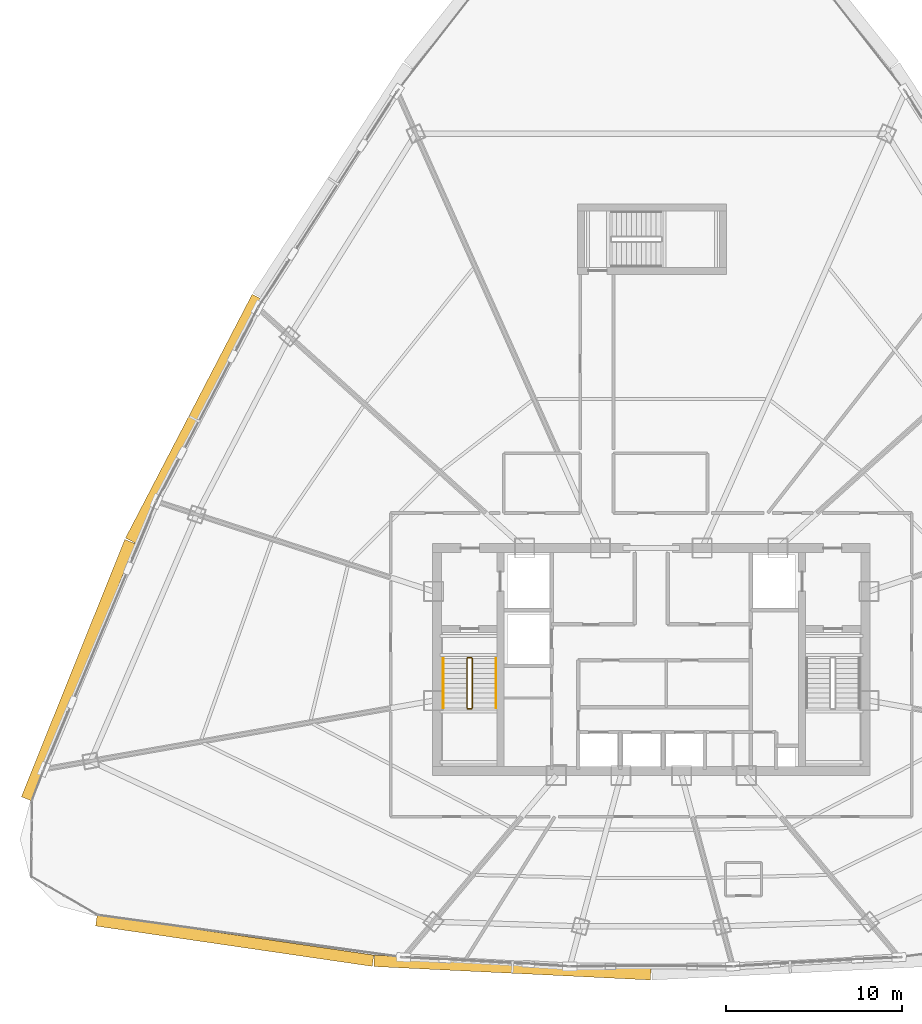
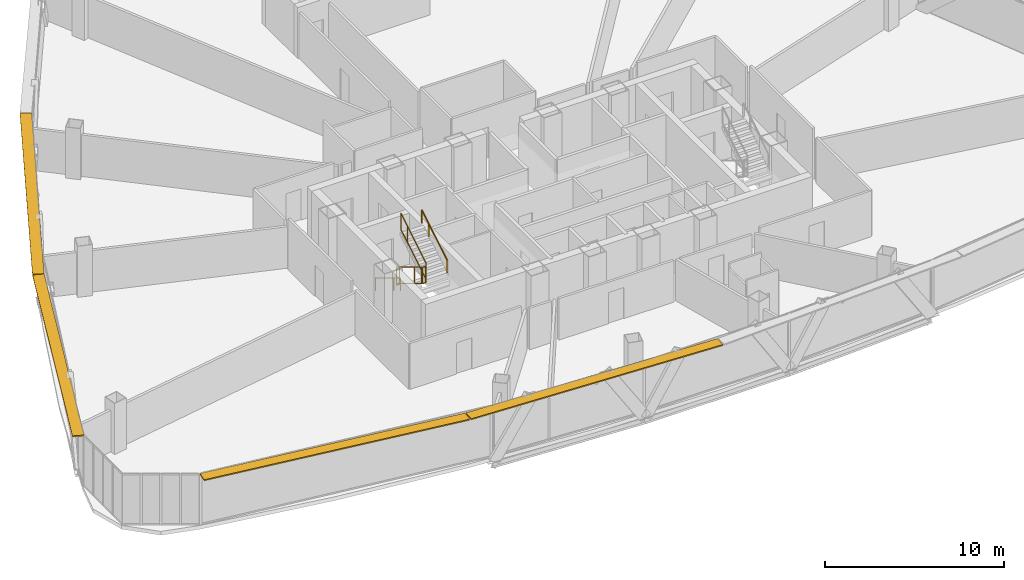
# One storey, part 34 of 37: 6 railings, 4 shading devices.
"""IFC4 building model written with IfcOpenShell, lengths in metres."""

from ifc_helpers import new_model, si_unit, direction, frame, origin, origin_2d, place, context, subcontext, project, spatial, rectangle, extrude, source, transform, mapped, material, layer, layer_set, type_object, element, save


model = new_model("IFC4")

# Units and contexts
model_context = context("Model", 3, precision=1e-05, world=origin(), true_north=direction((0.0, 1.0)))
body_context = subcontext(model_context, "Body", "Model", "MODEL_VIEW")
ifc_project = project(units=[si_unit("LENGTHUNIT", "METRE"), si_unit("AREAUNIT", "SQUARE_METRE"), si_unit("VOLUMEUNIT", "CUBIC_METRE"), si_unit("PLANEANGLEUNIT", "RADIAN"), si_unit("MASSUNIT", "GRAM", prefix="KILO"), si_unit("THERMODYNAMICTEMPERATUREUNIT", "KELVIN"), si_unit("POWERUNIT", "WATT")], contexts=[model_context])

# Site, building, storey
site_placement = place(None, origin())
site = spatial("IfcSite", under=ifc_project, at=site_placement, CompositionType="ELEMENT")
building_placement = place(site_placement, origin())
building = spatial("IfcBuilding", under=site, at=building_placement, Name="Yunzhuo Pagoda Commons", CompositionType="ELEMENT")
storey_placement = place(building_placement, frame((0.0, 0.0, 240.800048828125)))
storey = spatial("IfcBuildingStorey", under=building, at=storey_placement, Name="L60", CompositionType="ELEMENT", Elevation=240.800048828125)

# Railings
ifc_material = material(Name="Anodized aluminium 6063-T6", Category="aluminium")
railing_type_1 = type_object("IfcRailingType", Name="GR-ST1 Stair Well Guardrail 1150", PredefinedType="GUARDRAIL", material=ifc_material)
railing_1_placement = place(storey_placement, frame((37.5, 33.89990234375, 0.16943359375)))
element("IfcRailing", 1, at=railing_1_placement, inside=storey, type_object=railing_type_1, Name="L60 ST1 stair guard 1", PredefinedType="GUARDRAIL", context=body_context, shape_type="SweptSolid", body=[
    extrude(rectangle(XDim=0.048095703125, YDim=0.048095703125, at=origin_2d()), frame((0.0, 0.0, 1.1259765625), z_axis=(0.0, -0.855373106579, 0.518012401918), x_axis=(1.0, 0.0, 0.0)), (0.0, 0.0, 1.0), 3.273193359375),
    extrude(rectangle(XDim=0.048095703125, YDim=0.048095703125, at=origin_2d()), frame((0.0, 0.0, 0.02392578125), z_axis=(0.0, -0.855373106579, 0.518012401918), x_axis=(1.0, 0.0, 0.0)), (0.0, 0.0, 1.0), 3.273193359375),
    extrude(rectangle(XDim=0.0419921875, YDim=0.0419921875, at=origin_2d()), origin(), (0.0, 0.0, 1.0), 1.101806640625),
    extrude(rectangle(XDim=0.0419921875, YDim=0.0419921875, at=origin_2d()), frame((0.0, -2.052978515625, 1.2431640625)), (0.0, 0.0, 1.0), 1.101806640625),
    extrude(rectangle(XDim=0.0419921875, YDim=0.0419921875, at=origin_2d()), frame((0.0, -2.7998046875, 1.695556640625)), (0.0, 0.0, 1.0), 1.101806640625),
])
railing_2_placement = place(storey_placement, frame((37.550048828125, 31.050048828125, 1.864990234375)))
element("IfcRailing", 2, at=railing_2_placement, inside=storey, type_object=railing_type_1, Name="L60 ST1 stair guard 2", PredefinedType="GUARDRAIL", context=body_context, shape_type="SweptSolid", body=[
    extrude(rectangle(XDim=0.048095703125, YDim=0.048095703125, at=origin_2d()), frame((0.0, 0.0, 1.1259765625), z_axis=(1.0, 0.0, 0.0), x_axis=(0.0, 1.0, 0.0)), (0.0, 0.0, 1.0), 0.199951171875),
    extrude(rectangle(XDim=0.048095703125, YDim=0.048095703125, at=origin_2d()), frame((0.0, 0.0, 0.02392578125), z_axis=(1.0, 0.0, 0.0), x_axis=(0.0, 1.0, 0.0)), (0.0, 0.0, 1.0), 0.199951171875),
    extrude(rectangle(XDim=0.0419921875, YDim=0.0419921875, at=origin_2d()), origin(), (0.0, 0.0, 1.0), 1.101806640625),
    extrude(rectangle(XDim=0.0419921875, YDim=0.0419921875, at=origin_2d()), frame((0.199951171875, 0.0, 0.0)), (0.0, 0.0, 1.0), 1.101806640625),
])
railing_3_placement = place(storey_placement, frame((37.800048828125, 31.10009765625, 2.034423828125)))
element("IfcRailing", 3, at=railing_3_placement, inside=storey, type_object=railing_type_1, Name="L60 ST1 stair guard 3", PredefinedType="GUARDRAIL", context=body_context, shape_type="SweptSolid", body=[
    extrude(rectangle(XDim=0.048095703125, YDim=0.048095703125, at=origin_2d()), frame((0.0, 0.0, 1.1259765625), z_axis=(0.0, 0.855373106579, 0.518012401918), x_axis=(-1.0, 0.0, 0.0)), (0.0, 0.0, 1.0), 3.273193359375),
    extrude(rectangle(XDim=0.048095703125, YDim=0.048095703125, at=origin_2d()), frame((0.0, 0.0, 0.02392578125), z_axis=(0.0, 0.855373106579, 0.518012401918), x_axis=(-1.0, 0.0, 0.0)), (0.0, 0.0, 1.0), 3.273193359375),
    extrude(rectangle(XDim=0.0419921875, YDim=0.0419921875, at=origin_2d()), origin(), (0.0, 0.0, 1.0), 1.101806640625),
    extrude(rectangle(XDim=0.0419921875, YDim=0.0419921875, at=origin_2d()), frame((0.0, 2.052978515625, 1.2431640625)), (0.0, 0.0, 1.0), 1.101806640625),
    extrude(rectangle(XDim=0.0419921875, YDim=0.0419921875, at=origin_2d()), frame((0.0, 2.7998046875, 1.695556640625)), (0.0, 0.0, 1.0), 1.101806640625),
])
railing_4_placement = place(storey_placement, frame((37.550048828125, 33.949951171875, 0.0)))
element("IfcRailing", 4, at=railing_4_placement, inside=storey, type_object=railing_type_1, Name="L60 ST1 stair guard 4", PredefinedType="GUARDRAIL", context=body_context, shape_type="SweptSolid", body=[
    extrude(rectangle(XDim=0.048095703125, YDim=0.048095703125, at=origin_2d()), frame((0.0, 0.0, 1.1259765625), z_axis=(1.0, 0.0, 0.0), x_axis=(0.0, 1.0, 0.0)), (0.0, 0.0, 1.0), 0.199951171875),
    extrude(rectangle(XDim=0.048095703125, YDim=0.048095703125, at=origin_2d()), frame((0.0, 0.0, 0.02392578125), z_axis=(1.0, 0.0, 0.0), x_axis=(0.0, 1.0, 0.0)), (0.0, 0.0, 1.0), 0.199951171875),
    extrude(rectangle(XDim=0.0419921875, YDim=0.0419921875, at=origin_2d()), origin(), (0.0, 0.0, 1.0), 1.101806640625),
    extrude(rectangle(XDim=0.0419921875, YDim=0.0419921875, at=origin_2d()), frame((0.199951171875, 0.0, 0.0)), (0.0, 0.0, 1.0), 1.101806640625),
])
railing_type_2 = type_object("IfcRailingType", Name="HR-ST1 Stair Handrail 900", PredefinedType="HANDRAIL", material=ifc_material)
railing_5_placement = place(storey_placement, frame((36.14990234375, 33.89990234375, 0.16943359375)))
element("IfcRailing", 5, at=railing_5_placement, inside=storey, type_object=railing_type_2, Name="L60 ST1 stair handrail 1", PredefinedType="HANDRAIL", context=body_context, shape_type="SweptSolid", body=[
    extrude(rectangle(XDim=0.048095703125, YDim=0.048095703125, at=origin_2d()), frame((0.0, 0.0, 0.8759765625), z_axis=(0.0, -0.855373106579, 0.518012401918), x_axis=(1.0, 0.0, 0.0)), (0.0, 0.0, 1.0), 3.273193359375),
    extrude(rectangle(XDim=0.0419921875, YDim=0.0419921875, at=origin_2d()), origin(), (0.0, 0.0, 1.0), 0.851806640625),
    extrude(rectangle(XDim=0.0419921875, YDim=0.0419921875, at=origin_2d()), frame((0.0, -2.052978515625, 1.2431640625)), (0.0, 0.0, 1.0), 0.851806640625),
    extrude(rectangle(XDim=0.0419921875, YDim=0.0419921875, at=origin_2d()), frame((0.0, -2.7998046875, 1.695556640625)), (0.0, 0.0, 1.0), 0.851806640625),
])
railing_6_placement = place(storey_placement, frame((39.14990234375, 31.10009765625, 2.034423828125)))
element("IfcRailing", 6, at=railing_6_placement, inside=storey, type_object=railing_type_2, Name="L60 ST1 stair handrail 2", PredefinedType="HANDRAIL", context=body_context, shape_type="SweptSolid", body=[
    extrude(rectangle(XDim=0.048095703125, YDim=0.048095703125, at=origin_2d()), frame((0.0, 0.0, 0.8759765625), z_axis=(0.0, 0.855373106579, 0.518012401918), x_axis=(-1.0, 0.0, 0.0)), (0.0, 0.0, 1.0), 3.273193359375),
    extrude(rectangle(XDim=0.0419921875, YDim=0.0419921875, at=origin_2d()), origin(), (0.0, 0.0, 1.0), 0.851806640625),
    extrude(rectangle(XDim=0.0419921875, YDim=0.0419921875, at=origin_2d()), frame((0.0, 2.052978515625, 1.2431640625)), (0.0, 0.0, 1.0), 0.851806640625),
    extrude(rectangle(XDim=0.0419921875, YDim=0.0419921875, at=origin_2d()), frame((0.0, 2.7998046875, 1.695556640625)), (0.0, 0.0, 1.0), 0.851806640625),
])

# Shading devices
ifc_layer = layer(ifc_material, 0.080078125)
ifc_layer_set = layer_set([ifc_layer], Name="Anodized aluminium 6063-T6")
shading_device_type = type_object("IfcShadingDeviceType", Name="SH-SUN1 Pagoda Horizontal Sunshade Eave 650", PredefinedType="USERDEFINED", material=ifc_layer_set)
shared_shape_1 = source(origin(), body_context, "Body", "SweptSolid", [
    extrude(rectangle(XDim=15.924560546875, YDim=0.64990234375, at=origin_2d()), origin(), (0.0, 0.0, 1.0), 0.080078125),
])
shading_device_1_placement = place(storey_placement, frame((24.269775390625, 17.8427734375, 3.389892578125), z_axis=(0.0, 0.0, 1.0), x_axis=(0.989510666697, -0.144459823108, 0.0)))
element("IfcShadingDevice", 7, at=shading_device_1_placement, inside=storey, type_object=shading_device_type, Name="L60 horizontal pagoda sunshade eave F1.1", ObjectType="SUNSHADE", PredefinedType="USERDEFINED", context=body_context, shape_type="MappedRepresentation", body=[
    mapped(shared_shape_1, transform((0.0, 0.0, 0.0), scale=1.0)),
])
shared_shape_2 = source(origin(), body_context, "Body", "SweptSolid", [
    extrude(rectangle(XDim=15.77587890625, YDim=0.64990234375, at=origin_2d()), origin(), (0.0, 0.0, 1.0), 0.080078125),
])
shading_device_2_placement = place(storey_placement, frame((40.08984375, 16.302978515625, 3.389892578125), z_axis=(0.0, 0.0, 1.0), x_axis=(0.998818043775, -0.04860571396, 0.0)))
element("IfcShadingDevice", 8, at=shading_device_2_placement, inside=storey, type_object=shading_device_type, Name="L60 horizontal pagoda sunshade eave F1.2", ObjectType="SUNSHADE", PredefinedType="USERDEFINED", context=body_context, shape_type="MappedRepresentation", body=[
    mapped(shared_shape_2, transform((0.0, 0.0, 0.0), scale=1.0)),
])
shared_shape_3 = source(origin(), body_context, "Body", "SweptSolid", [
    extrude(rectangle(XDim=15.79638671875, YDim=0.64990234375, at=origin_2d()), origin(), (0.0, 0.0, 1.0), 0.080078125),
])
shading_device_3_placement = place(storey_placement, frame((15.363037109375, 33.241943359375, 3.389892578125), z_axis=(0.0, 0.0, 1.0), x_axis=(-0.372987782576, -0.927836253899, 0.0)))
element("IfcShadingDevice", 9, at=shading_device_3_placement, inside=storey, type_object=shading_device_type, Name="L60 horizontal pagoda sunshade eave F3.4", ObjectType="SUNSHADE", PredefinedType="USERDEFINED", context=body_context, shape_type="MappedRepresentation", body=[
    mapped(shared_shape_3, transform((0.0, 0.0, 0.0), scale=1.0)),
])
shared_shape_4 = source(origin(), body_context, "Body", "SweptSolid", [
    extrude(rectangle(XDim=15.646484375, YDim=0.64990234375, at=origin_2d()), origin(), (0.0, 0.0, 1.0), 0.080078125),
])
shading_device_4_placement = place(storey_placement, frame((21.943603515625, 47.569091796875, 3.389892578125), z_axis=(0.0, 0.0, 1.0), x_axis=(-0.461206683033, -0.88729273384, 0.0)))
element("IfcShadingDevice", 10, at=shading_device_4_placement, inside=storey, type_object=shading_device_type, Name="L60 horizontal pagoda sunshade eave F3.3", ObjectType="SUNSHADE", PredefinedType="USERDEFINED", context=body_context, shape_type="MappedRepresentation", body=[
    mapped(shared_shape_4, transform((0.0, 0.0, 0.0), scale=1.0)),
])

save(model, "model.ifc")
